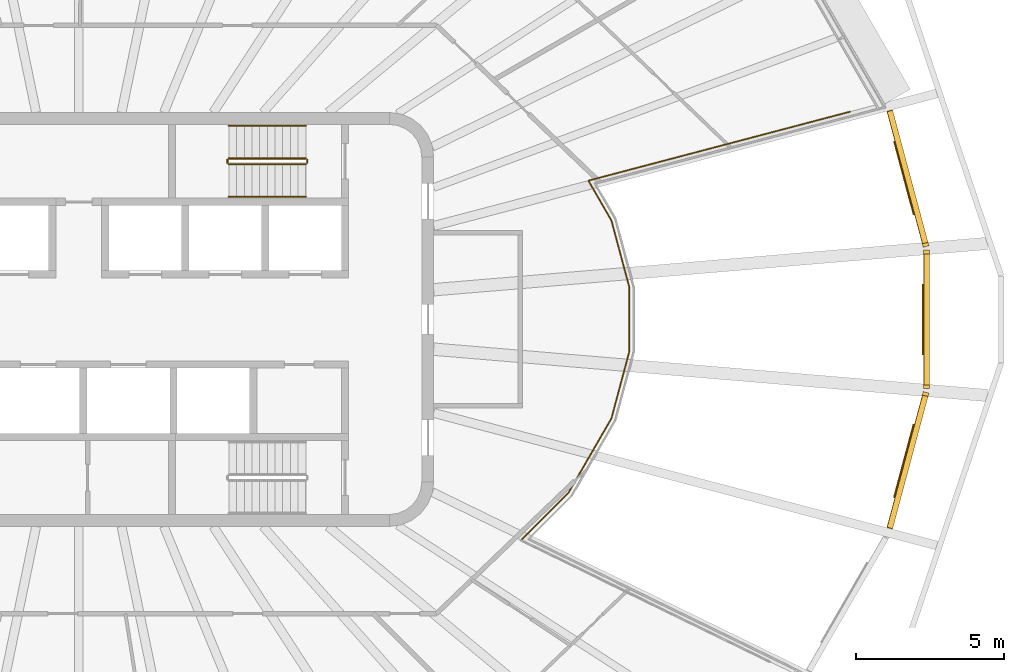
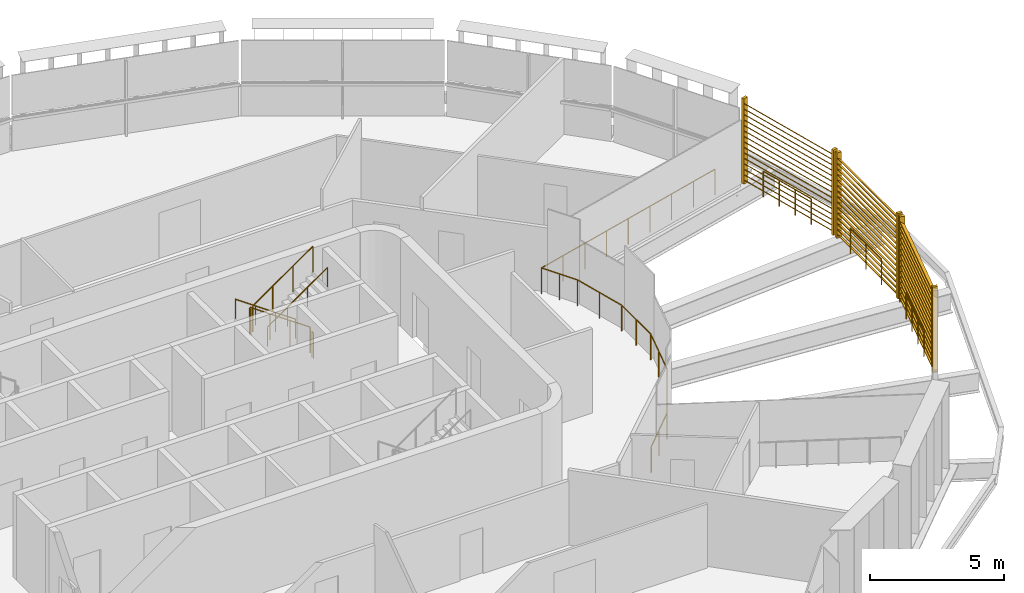
# One storey, part 17 of 19: 10 railings, 3 shading devices.
"""IFC4 building model written with IfcOpenShell, lengths in metres."""

from ifc_helpers import new_model, si_unit, direction, frame, origin, origin_2d, place, context, subcontext, project, spatial, rectangle, circle, extrude, material, type_object, element, save


model = new_model("IFC4")

# Units and contexts
model_context = context("Model", 3, precision=1e-05, world=origin(), true_north=direction((0.0, 1.0)))
body_context = subcontext(model_context, "Body", "Model", "MODEL_VIEW")
ifc_project = project(units=[si_unit("LENGTHUNIT", "METRE"), si_unit("AREAUNIT", "SQUARE_METRE"), si_unit("VOLUMEUNIT", "CUBIC_METRE"), si_unit("PLANEANGLEUNIT", "RADIAN"), si_unit("MASSUNIT", "GRAM", prefix="KILO")], contexts=[model_context])

# Site, building, storey
site_placement = place(None, origin())
site = spatial("IfcSite", under=ifc_project, at=site_placement, CompositionType="ELEMENT")
building_placement = place(site_placement, origin())
building = spatial("IfcBuilding", under=site, at=building_placement, Name="Sahrelin Media Tower", CompositionType="ELEMENT")
storey_placement = place(building_placement, frame((0.0, 0.0, 287.0)))
storey = spatial("IfcBuildingStorey", under=building, at=storey_placement, Name="L63", CompositionType="ELEMENT", Elevation=287.0)

# Shading devices
ifc_material_1 = material(Name="Champagne anodised aluminium 6063-T6", Category="aluminium")
shading_device_type = type_object("IfcShadingDeviceType", Name="Garden screen", PredefinedType="USERDEFINED", material=ifc_material_1)
shading_device_1_placement = place(storey_placement, frame((28.5673828125, 0.0, 0.0), z_axis=(0.0, 0.0, 1.0), x_axis=(0.0, -1.0, 0.0)))
element("IfcShadingDevice", 1, at=shading_device_1_placement, inside=storey, type_object=shading_device_type, Name="L63:SCREEN:L63-00", ObjectType="SCREEN", PredefinedType="USERDEFINED", context=body_context, shape_type="SweptSolid", body=[
    extrude(rectangle(XDim=0.1201171875, YDim=0.199951171875, at=origin_2d()), frame((2.28125, 0.10009765625, 0.050048828125), z_axis=(0.0, 0.0, 1.0), x_axis=(1.0, 0.0, 0.0)), (0.0, 0.0, 1.0), 3.89990234375),
    extrude(rectangle(XDim=0.1201171875, YDim=0.199951171875, at=origin_2d()), frame((-2.28125, 0.10009765625, 0.050048828125), z_axis=(0.0, 0.0, 1.0), x_axis=(1.0, 0.0, 0.0)), (0.0, 0.0, 1.0), 3.89990234375),
    extrude(rectangle(XDim=0.25, YDim=0.02001953125, at=origin_2d()), frame((2.22119140625, 0.10009765625, 0.14990234375), z_axis=(-1.0, 0.0, 0.0), x_axis=(0.0, -0.766044443119, 0.642787609687)), (0.0, 0.0, 1.0), 4.4423828125),
    extrude(rectangle(XDim=0.25, YDim=0.02001953125, at=origin_2d()), frame((2.22119140625, 0.10009765625, 0.39990234375), z_axis=(-1.0, 0.0, 0.0), x_axis=(0.0, -0.766044443119, 0.642787609687)), (0.0, 0.0, 1.0), 4.4423828125),
    extrude(rectangle(XDim=0.25, YDim=0.02001953125, at=origin_2d()), frame((2.22119140625, 0.10009765625, 0.64990234375), z_axis=(-1.0, 0.0, 0.0), x_axis=(0.0, -0.766044443119, 0.642787609687)), (0.0, 0.0, 1.0), 4.4423828125),
    extrude(rectangle(XDim=0.25, YDim=0.02001953125, at=origin_2d()), frame((2.22119140625, 0.10009765625, 0.89990234375), z_axis=(-1.0, 0.0, 0.0), x_axis=(0.0, -0.766044443119, 0.642787609687)), (0.0, 0.0, 1.0), 4.4423828125),
    extrude(rectangle(XDim=0.25, YDim=0.02001953125, at=origin_2d()), frame((2.22119140625, 0.10009765625, 1.14990234375), z_axis=(-1.0, 0.0, 0.0), x_axis=(0.0, -0.766044443119, 0.642787609687)), (0.0, 0.0, 1.0), 4.4423828125),
    extrude(rectangle(XDim=0.25, YDim=0.02001953125, at=origin_2d()), frame((2.22119140625, 0.10009765625, 1.39990234375), z_axis=(-1.0, 0.0, 0.0), x_axis=(0.0, -0.766044443119, 0.642787609687)), (0.0, 0.0, 1.0), 4.4423828125),
    extrude(rectangle(XDim=0.25, YDim=0.02001953125, at=origin_2d()), frame((2.22119140625, 0.10009765625, 1.64990234375), z_axis=(-1.0, 0.0, 0.0), x_axis=(0.0, -0.766044443119, 0.642787609687)), (0.0, 0.0, 1.0), 4.4423828125),
    extrude(rectangle(XDim=0.25, YDim=0.02001953125, at=origin_2d()), frame((2.22119140625, 0.10009765625, 1.89990234375), z_axis=(-1.0, 0.0, 0.0), x_axis=(0.0, -0.766044443119, 0.642787609687)), (0.0, 0.0, 1.0), 4.4423828125),
    extrude(rectangle(XDim=0.25, YDim=0.02001953125, at=origin_2d()), frame((2.22119140625, 0.10009765625, 2.14990234375), z_axis=(-1.0, 0.0, 0.0), x_axis=(0.0, -0.766044443119, 0.642787609687)), (0.0, 0.0, 1.0), 4.4423828125),
    extrude(rectangle(XDim=0.25, YDim=0.02001953125, at=origin_2d()), frame((2.22119140625, 0.10009765625, 2.39990234375), z_axis=(-1.0, 0.0, 0.0), x_axis=(0.0, -0.766044443119, 0.642787609687)), (0.0, 0.0, 1.0), 4.4423828125),
    extrude(rectangle(XDim=0.25, YDim=0.02001953125, at=origin_2d()), frame((2.22119140625, 0.10009765625, 2.64990234375), z_axis=(-1.0, 0.0, 0.0), x_axis=(0.0, -0.766044443119, 0.642787609687)), (0.0, 0.0, 1.0), 4.4423828125),
    extrude(rectangle(XDim=0.25, YDim=0.02001953125, at=origin_2d()), frame((2.22119140625, 0.10009765625, 2.89990234375), z_axis=(-1.0, 0.0, 0.0), x_axis=(0.0, -0.766044443119, 0.642787609687)), (0.0, 0.0, 1.0), 4.4423828125),
    extrude(rectangle(XDim=0.25, YDim=0.02001953125, at=origin_2d()), frame((2.22119140625, 0.10009765625, 3.14990234375), z_axis=(-1.0, 0.0, 0.0), x_axis=(0.0, -0.766044443119, 0.642787609687)), (0.0, 0.0, 1.0), 4.4423828125),
    extrude(rectangle(XDim=0.25, YDim=0.02001953125, at=origin_2d()), frame((2.22119140625, 0.10009765625, 3.39990234375), z_axis=(-1.0, 0.0, 0.0), x_axis=(0.0, -0.766044443119, 0.642787609687)), (0.0, 0.0, 1.0), 4.4423828125),
    extrude(rectangle(XDim=0.25, YDim=0.02001953125, at=origin_2d()), frame((2.22119140625, 0.10009765625, 3.64990234375), z_axis=(-1.0, 0.0, 0.0), x_axis=(0.0, -0.766044443119, 0.642787609687)), (0.0, 0.0, 1.0), 4.4423828125),
])
shading_device_2_placement = place(storey_placement, frame((27.9248046875, 4.789306640625, 0.0), z_axis=(0.0, 0.0, 1.0), x_axis=(0.258807731996, -0.965928857556, 0.0)))
element("IfcShadingDevice", 2, at=shading_device_2_placement, inside=storey, type_object=shading_device_type, Name="L63:SCREEN:L63-01", ObjectType="SCREEN", PredefinedType="USERDEFINED", context=body_context, shape_type="SweptSolid", body=[
    extrude(rectangle(XDim=0.1201171875, YDim=0.199951171875, at=origin_2d()), frame((2.37255859375, 0.10009765625, 0.050048828125), z_axis=(0.0, 0.0, 1.0), x_axis=(1.0, 0.0, 0.0)), (0.0, 0.0, 1.0), 3.89990234375),
    extrude(rectangle(XDim=0.1201171875, YDim=0.199951171875, at=origin_2d()), frame((-2.37255859375, 0.10009765625, 0.050048828125), z_axis=(0.0, 0.0, 1.0), x_axis=(1.0, 0.0, 0.0)), (0.0, 0.0, 1.0), 3.89990234375),
    extrude(rectangle(XDim=0.25, YDim=0.02001953125, at=origin_2d()), frame((2.3125, 0.10009765625, 0.14990234375), z_axis=(-1.0, 0.0, 0.0), x_axis=(0.0, -0.766044443119, 0.642787609687)), (0.0, 0.0, 1.0), 4.625),
    extrude(rectangle(XDim=0.25, YDim=0.02001953125, at=origin_2d()), frame((2.3125, 0.10009765625, 0.39990234375), z_axis=(-1.0, 0.0, 0.0), x_axis=(0.0, -0.766044443119, 0.642787609687)), (0.0, 0.0, 1.0), 4.625),
    extrude(rectangle(XDim=0.25, YDim=0.02001953125, at=origin_2d()), frame((2.3125, 0.10009765625, 0.64990234375), z_axis=(-1.0, 0.0, 0.0), x_axis=(0.0, -0.766044443119, 0.642787609687)), (0.0, 0.0, 1.0), 4.625),
    extrude(rectangle(XDim=0.25, YDim=0.02001953125, at=origin_2d()), frame((2.3125, 0.10009765625, 0.89990234375), z_axis=(-1.0, 0.0, 0.0), x_axis=(0.0, -0.766044443119, 0.642787609687)), (0.0, 0.0, 1.0), 4.625),
    extrude(rectangle(XDim=0.25, YDim=0.02001953125, at=origin_2d()), frame((2.3125, 0.10009765625, 1.14990234375), z_axis=(-1.0, 0.0, 0.0), x_axis=(0.0, -0.766044443119, 0.642787609687)), (0.0, 0.0, 1.0), 4.625),
    extrude(rectangle(XDim=0.25, YDim=0.02001953125, at=origin_2d()), frame((2.3125, 0.10009765625, 1.39990234375), z_axis=(-1.0, 0.0, 0.0), x_axis=(0.0, -0.766044443119, 0.642787609687)), (0.0, 0.0, 1.0), 4.625),
    extrude(rectangle(XDim=0.25, YDim=0.02001953125, at=origin_2d()), frame((2.3125, 0.10009765625, 1.64990234375), z_axis=(-1.0, 0.0, 0.0), x_axis=(0.0, -0.766044443119, 0.642787609687)), (0.0, 0.0, 1.0), 4.625),
    extrude(rectangle(XDim=0.25, YDim=0.02001953125, at=origin_2d()), frame((2.3125, 0.10009765625, 1.89990234375), z_axis=(-1.0, 0.0, 0.0), x_axis=(0.0, -0.766044443119, 0.642787609687)), (0.0, 0.0, 1.0), 4.625),
    extrude(rectangle(XDim=0.25, YDim=0.02001953125, at=origin_2d()), frame((2.3125, 0.10009765625, 2.14990234375), z_axis=(-1.0, 0.0, 0.0), x_axis=(0.0, -0.766044443119, 0.642787609687)), (0.0, 0.0, 1.0), 4.625),
    extrude(rectangle(XDim=0.25, YDim=0.02001953125, at=origin_2d()), frame((2.3125, 0.10009765625, 2.39990234375), z_axis=(-1.0, 0.0, 0.0), x_axis=(0.0, -0.766044443119, 0.642787609687)), (0.0, 0.0, 1.0), 4.625),
    extrude(rectangle(XDim=0.25, YDim=0.02001953125, at=origin_2d()), frame((2.3125, 0.10009765625, 2.64990234375), z_axis=(-1.0, 0.0, 0.0), x_axis=(0.0, -0.766044443119, 0.642787609687)), (0.0, 0.0, 1.0), 4.625),
    extrude(rectangle(XDim=0.25, YDim=0.02001953125, at=origin_2d()), frame((2.3125, 0.10009765625, 2.89990234375), z_axis=(-1.0, 0.0, 0.0), x_axis=(0.0, -0.766044443119, 0.642787609687)), (0.0, 0.0, 1.0), 4.625),
    extrude(rectangle(XDim=0.25, YDim=0.02001953125, at=origin_2d()), frame((2.3125, 0.10009765625, 3.14990234375), z_axis=(-1.0, 0.0, 0.0), x_axis=(0.0, -0.766044443119, 0.642787609687)), (0.0, 0.0, 1.0), 4.625),
    extrude(rectangle(XDim=0.25, YDim=0.02001953125, at=origin_2d()), frame((2.3125, 0.10009765625, 3.39990234375), z_axis=(-1.0, 0.0, 0.0), x_axis=(0.0, -0.766044443119, 0.642787609687)), (0.0, 0.0, 1.0), 4.625),
    extrude(rectangle(XDim=0.25, YDim=0.02001953125, at=origin_2d()), frame((2.3125, 0.10009765625, 3.64990234375), z_axis=(-1.0, 0.0, 0.0), x_axis=(0.0, -0.766044443119, 0.642787609687)), (0.0, 0.0, 1.0), 4.625),
])
shading_device_3_placement = place(storey_placement, frame((27.9248046875, -4.789306640625, 0.0), z_axis=(0.0, 0.0, 1.0), x_axis=(-0.258807731996, -0.965928857556, 0.0)))
element("IfcShadingDevice", 3, at=shading_device_3_placement, inside=storey, type_object=shading_device_type, Name="L63:SCREEN:L63-23", ObjectType="SCREEN", PredefinedType="USERDEFINED", context=body_context, shape_type="SweptSolid", body=[
    extrude(rectangle(XDim=0.1201171875, YDim=0.199951171875, at=origin_2d()), frame((2.37255859375, 0.10009765625, 0.050048828125), z_axis=(0.0, 0.0, 1.0), x_axis=(1.0, 0.0, 0.0)), (0.0, 0.0, 1.0), 3.89990234375),
    extrude(rectangle(XDim=0.1201171875, YDim=0.199951171875, at=origin_2d()), frame((-2.37255859375, 0.10009765625, 0.050048828125), z_axis=(0.0, 0.0, 1.0), x_axis=(1.0, 0.0, 0.0)), (0.0, 0.0, 1.0), 3.89990234375),
    extrude(rectangle(XDim=0.25, YDim=0.02001953125, at=origin_2d()), frame((2.3125, 0.10009765625, 0.14990234375), z_axis=(-1.0, 0.0, 0.0), x_axis=(0.0, -0.766044443119, 0.642787609687)), (0.0, 0.0, 1.0), 4.625),
    extrude(rectangle(XDim=0.25, YDim=0.02001953125, at=origin_2d()), frame((2.3125, 0.10009765625, 0.39990234375), z_axis=(-1.0, 0.0, 0.0), x_axis=(0.0, -0.766044443119, 0.642787609687)), (0.0, 0.0, 1.0), 4.625),
    extrude(rectangle(XDim=0.25, YDim=0.02001953125, at=origin_2d()), frame((2.3125, 0.10009765625, 0.64990234375), z_axis=(-1.0, 0.0, 0.0), x_axis=(0.0, -0.766044443119, 0.642787609687)), (0.0, 0.0, 1.0), 4.625),
    extrude(rectangle(XDim=0.25, YDim=0.02001953125, at=origin_2d()), frame((2.3125, 0.10009765625, 0.89990234375), z_axis=(-1.0, 0.0, 0.0), x_axis=(0.0, -0.766044443119, 0.642787609687)), (0.0, 0.0, 1.0), 4.625),
    extrude(rectangle(XDim=0.25, YDim=0.02001953125, at=origin_2d()), frame((2.3125, 0.10009765625, 1.14990234375), z_axis=(-1.0, 0.0, 0.0), x_axis=(0.0, -0.766044443119, 0.642787609687)), (0.0, 0.0, 1.0), 4.625),
    extrude(rectangle(XDim=0.25, YDim=0.02001953125, at=origin_2d()), frame((2.3125, 0.10009765625, 1.39990234375), z_axis=(-1.0, 0.0, 0.0), x_axis=(0.0, -0.766044443119, 0.642787609687)), (0.0, 0.0, 1.0), 4.625),
    extrude(rectangle(XDim=0.25, YDim=0.02001953125, at=origin_2d()), frame((2.3125, 0.10009765625, 1.64990234375), z_axis=(-1.0, 0.0, 0.0), x_axis=(0.0, -0.766044443119, 0.642787609687)), (0.0, 0.0, 1.0), 4.625),
    extrude(rectangle(XDim=0.25, YDim=0.02001953125, at=origin_2d()), frame((2.3125, 0.10009765625, 1.89990234375), z_axis=(-1.0, 0.0, 0.0), x_axis=(0.0, -0.766044443119, 0.642787609687)), (0.0, 0.0, 1.0), 4.625),
    extrude(rectangle(XDim=0.25, YDim=0.02001953125, at=origin_2d()), frame((2.3125, 0.10009765625, 2.14990234375), z_axis=(-1.0, 0.0, 0.0), x_axis=(0.0, -0.766044443119, 0.642787609687)), (0.0, 0.0, 1.0), 4.625),
    extrude(rectangle(XDim=0.25, YDim=0.02001953125, at=origin_2d()), frame((2.3125, 0.10009765625, 2.39990234375), z_axis=(-1.0, 0.0, 0.0), x_axis=(0.0, -0.766044443119, 0.642787609687)), (0.0, 0.0, 1.0), 4.625),
    extrude(rectangle(XDim=0.25, YDim=0.02001953125, at=origin_2d()), frame((2.3125, 0.10009765625, 2.64990234375), z_axis=(-1.0, 0.0, 0.0), x_axis=(0.0, -0.766044443119, 0.642787609687)), (0.0, 0.0, 1.0), 4.625),
    extrude(rectangle(XDim=0.25, YDim=0.02001953125, at=origin_2d()), frame((2.3125, 0.10009765625, 2.89990234375), z_axis=(-1.0, 0.0, 0.0), x_axis=(0.0, -0.766044443119, 0.642787609687)), (0.0, 0.0, 1.0), 4.625),
    extrude(rectangle(XDim=0.25, YDim=0.02001953125, at=origin_2d()), frame((2.3125, 0.10009765625, 3.14990234375), z_axis=(-1.0, 0.0, 0.0), x_axis=(0.0, -0.766044443119, 0.642787609687)), (0.0, 0.0, 1.0), 4.625),
    extrude(rectangle(XDim=0.25, YDim=0.02001953125, at=origin_2d()), frame((2.3125, 0.10009765625, 3.39990234375), z_axis=(-1.0, 0.0, 0.0), x_axis=(0.0, -0.766044443119, 0.642787609687)), (0.0, 0.0, 1.0), 4.625),
    extrude(rectangle(XDim=0.25, YDim=0.02001953125, at=origin_2d()), frame((2.3125, 0.10009765625, 3.64990234375), z_axis=(-1.0, 0.0, 0.0), x_axis=(0.0, -0.766044443119, 0.642787609687)), (0.0, 0.0, 1.0), 4.625),
])

# Railings
ifc_material_2 = material(Name="Stainless steel 316", Category="steel")
railing_type_1 = type_object("IfcRailingType", Name="Sky garden guard", PredefinedType="GUARDRAIL", material=ifc_material_2)
railing_1_placement = place(storey_placement, frame((14.952392578125, -7.468505859375, 0.0)))
element("IfcRailing", 4, at=railing_1_placement, inside=storey, type_object=railing_type_1, Name="Sky garden void guard G8-1", PredefinedType="GUARDRAIL", context=body_context, shape_type="SweptSolid", body=[
    extrude(circle(Radius=0.02392578125, at=origin_2d()), frame((0.0, 0.0, 1.17578125), z_axis=(0.707160571973, 0.707052986308, 0.0), x_axis=(-0.707052986308, 0.707160571973, 0.0)), (0.0, 0.0, 1.0), 2.269287109375),
    extrude(circle(Radius=0.02392578125, at=origin_2d()), frame((1.604736328125, 1.6044921875, 1.17578125), z_axis=(0.499996306993, 0.866027535932, 0.0), x_axis=(-0.866027535932, 0.499996306993, 0.0)), (0.0, 0.0, 1.0), 2.90673828125),
    extrude(circle(Radius=0.02392578125, at=origin_2d()), frame((3.05810546875, 4.121826171875, 1.17578125), z_axis=(0.25878985325, 0.96593364775, 0.0), x_axis=(-0.96593364775, 0.25878985325, 0.0)), (0.0, 0.0, 1.0), 2.34521484375),
    extrude(circle(Radius=0.02392578125, at=origin_2d()), frame((3.6650390625, 6.38720703125, 1.17578125), z_axis=(0.0, 1.0, 0.0), x_axis=(-1.0, 0.0, 0.0)), (0.0, 0.0, 1.0), 2.16259765625),
    extrude(circle(Radius=0.02392578125, at=origin_2d()), frame((3.6650390625, 8.5498046875, 1.17578125), z_axis=(-0.25878985325, 0.96593364775, 0.0), x_axis=(-0.96593364775, -0.25878985325, 0.0)), (0.0, 0.0, 1.0), 2.34521484375),
    extrude(circle(Radius=0.02392578125, at=origin_2d()), frame((3.05810546875, 10.815185546875, 1.17578125), z_axis=(-0.500052839165, 0.865994894929, 0.0), x_axis=(-0.865994894929, -0.500052839165, 0.0)), (0.0, 0.0, 1.0), 1.556396484375),
    extrude(circle(Radius=0.02392578125, at=origin_2d()), frame((2.27978515625, 12.1630859375, 1.17578125), z_axis=(0.967003978096, 0.254761273249, 0.0), x_axis=(-0.254761273249, 0.967003978096, 0.0)), (0.0, 0.0, 1.0), 9.14794921875),
    extrude(circle(Radius=0.02099609375, at=origin_2d()), origin(), (0.0, 0.0, 1.0), 1.15185546875),
    extrude(circle(Radius=0.02099609375, at=origin_2d()), frame((0.80224609375, 0.80224609375, 0.0)), (0.0, 0.0, 1.0), 1.15185546875),
    extrude(circle(Radius=0.02099609375, at=origin_2d()), frame((1.604736328125, 1.6044921875, 0.0)), (0.0, 0.0, 1.0), 1.15185546875),
    extrude(circle(Radius=0.02099609375, at=origin_2d()), frame((2.089111328125, 2.443603515625, 0.0)), (0.0, 0.0, 1.0), 1.15185546875),
    extrude(circle(Radius=0.02099609375, at=origin_2d()), frame((2.57373046875, 3.28271484375, 0.0)), (0.0, 0.0, 1.0), 1.15185546875),
    extrude(circle(Radius=0.02099609375, at=origin_2d()), frame((3.05810546875, 4.121826171875, 0.0)), (0.0, 0.0, 1.0), 1.15185546875),
    extrude(circle(Radius=0.02099609375, at=origin_2d()), frame((3.361572265625, 5.25439453125, 0.0)), (0.0, 0.0, 1.0), 1.15185546875),
    extrude(circle(Radius=0.02099609375, at=origin_2d()), frame((3.6650390625, 6.38720703125, 0.0)), (0.0, 0.0, 1.0), 1.15185546875),
    extrude(circle(Radius=0.02099609375, at=origin_2d()), frame((3.6650390625, 7.468505859375, 0.0)), (0.0, 0.0, 1.0), 1.15185546875),
    extrude(circle(Radius=0.02099609375, at=origin_2d()), frame((3.6650390625, 8.5498046875, 0.0)), (0.0, 0.0, 1.0), 1.15185546875),
    extrude(circle(Radius=0.02099609375, at=origin_2d()), frame((3.361572265625, 9.6826171875, 0.0)), (0.0, 0.0, 1.0), 1.15185546875),
    extrude(circle(Radius=0.02099609375, at=origin_2d()), frame((3.05810546875, 10.815185546875, 0.0)), (0.0, 0.0, 1.0), 1.15185546875),
    extrude(circle(Radius=0.02099609375, at=origin_2d()), frame((2.6689453125, 11.4892578125, 0.0)), (0.0, 0.0, 1.0), 1.15185546875),
    extrude(circle(Radius=0.02099609375, at=origin_2d()), frame((2.27978515625, 12.1630859375, 0.0)), (0.0, 0.0, 1.0), 1.15185546875),
    extrude(circle(Radius=0.02099609375, at=origin_2d()), frame((3.385498046875, 12.454345703125, 0.0)), (0.0, 0.0, 1.0), 1.15185546875),
    extrude(circle(Radius=0.02099609375, at=origin_2d()), frame((4.4912109375, 12.74560546875, 0.0)), (0.0, 0.0, 1.0), 1.15185546875),
    extrude(circle(Radius=0.02099609375, at=origin_2d()), frame((5.59716796875, 13.037109375, 0.0)), (0.0, 0.0, 1.0), 1.15185546875),
    extrude(circle(Radius=0.02099609375, at=origin_2d()), frame((6.702880859375, 13.328369140625, 0.0)), (0.0, 0.0, 1.0), 1.15185546875),
    extrude(circle(Radius=0.02099609375, at=origin_2d()), frame((7.80859375, 13.61962890625, 0.0)), (0.0, 0.0, 1.0), 1.15185546875),
    extrude(circle(Radius=0.02099609375, at=origin_2d()), frame((8.91455078125, 13.9111328125, 0.0)), (0.0, 0.0, 1.0), 1.15185546875),
    extrude(circle(Radius=0.02099609375, at=origin_2d()), frame((10.020263671875, 14.202392578125, 0.0)), (0.0, 0.0, 1.0), 1.15185546875),
    extrude(circle(Radius=0.02099609375, at=origin_2d()), frame((11.1259765625, 14.49365234375, 0.0)), (0.0, 0.0, 1.0), 1.15185546875),
])
railing_2_placement = place(storey_placement, frame((27.5751953125, 6.00732421875, 0.0)))
element("IfcRailing", 5, at=railing_2_placement, inside=storey, type_object=railing_type_1, Name="Sky garden void guard G8-2", PredefinedType="GUARDRAIL", context=body_context, shape_type="SweptSolid", body=[
    extrude(circle(Radius=0.02392578125, at=origin_2d()), frame((0.0, 0.0, 1.17578125), z_axis=(0.258813089189, -0.965927422152, 0.0), x_axis=(0.965927422152, 0.258813089189, 0.0)), (0.0, 0.0, 1.0), 2.53564453125),
    extrude(circle(Radius=0.02099609375, at=origin_2d()), origin(), (0.0, 0.0, 1.0), 1.15185546875),
    extrude(circle(Radius=0.02099609375, at=origin_2d()), frame((0.21875, -0.81640625, 0.0)), (0.0, 0.0, 1.0), 1.15185546875),
    extrude(circle(Radius=0.02099609375, at=origin_2d()), frame((0.4375, -1.6328125, 0.0)), (0.0, 0.0, 1.0), 1.15185546875),
    extrude(circle(Radius=0.02099609375, at=origin_2d()), frame((0.65625, -2.44921875, 0.0)), (0.0, 0.0, 1.0), 1.15185546875),
])
railing_3_placement = place(storey_placement, frame((28.544921875, 1.17333984375, 0.0)))
element("IfcRailing", 6, at=railing_3_placement, inside=storey, type_object=railing_type_1, Name="Sky garden void guard G8-3", PredefinedType="GUARDRAIL", context=body_context, shape_type="SweptSolid", body=[
    extrude(circle(Radius=0.02392578125, at=origin_2d()), frame((0.0, 0.0, 1.17578125), z_axis=(0.0, -1.0, 0.0), x_axis=(1.0, 0.0, 0.0)), (0.0, 0.0, 1.0), 2.3466796875),
    extrude(circle(Radius=0.02099609375, at=origin_2d()), origin(), (0.0, 0.0, 1.0), 1.15185546875),
    extrude(circle(Radius=0.02099609375, at=origin_2d()), frame((0.0, -1.17333984375, 0.0)), (0.0, 0.0, 1.0), 1.15185546875),
    extrude(circle(Radius=0.02099609375, at=origin_2d()), frame((0.0, -2.3466796875, 0.0)), (0.0, 0.0, 1.0), 1.15185546875),
])
railing_4_placement = place(storey_placement, frame((28.2314453125, -3.55810546875, 0.0)))
element("IfcRailing", 7, at=railing_4_placement, inside=storey, type_object=railing_type_1, Name="Sky garden void guard G8-4", PredefinedType="GUARDRAIL", context=body_context, shape_type="SweptSolid", body=[
    extrude(circle(Radius=0.02392578125, at=origin_2d()), frame((0.0, 0.0, 1.17578125), z_axis=(-0.258813089189, -0.965927422152, 0.0), x_axis=(0.965927422152, -0.258813089189, 0.0)), (0.0, 0.0, 1.0), 2.53564453125),
    extrude(circle(Radius=0.02099609375, at=origin_2d()), origin(), (0.0, 0.0, 1.0), 1.15185546875),
    extrude(circle(Radius=0.02099609375, at=origin_2d()), frame((-0.21875, -0.81640625, 0.0)), (0.0, 0.0, 1.0), 1.15185546875),
    extrude(circle(Radius=0.02099609375, at=origin_2d()), frame((-0.4375, -1.6328125, 0.0)), (0.0, 0.0, 1.0), 1.15185546875),
    extrude(circle(Radius=0.02099609375, at=origin_2d()), frame((-0.65625, -2.44921875, 0.0)), (0.0, 0.0, 1.0), 1.15185546875),
])
ifc_material_3 = material(Name="Steel S355", Category="steel")
railing_type_2 = type_object("IfcRailingType", Name="Stair guard 1200", PredefinedType="GUARDRAIL", material=ifc_material_3)
railing_5_placement = place(storey_placement, frame((7.675048828125, 5.449951171875, 0.181884765625)))
element("IfcRailing", 8, at=railing_5_placement, inside=storey, type_object=railing_type_2, Name="L63 ST3 stair guard 1", PredefinedType="GUARDRAIL", context=body_context, shape_type="SweptSolid", body=[
    extrude(circle(Radius=0.02392578125, at=origin_2d()), frame((0.0, 0.0, 1.17578125), z_axis=(-0.819521025635, 0.0, 0.573049115296), x_axis=(0.0, -1.0, 0.0)), (0.0, 0.0, 1.0), 3.172607421875),
    extrude(circle(Radius=0.02099609375, at=origin_2d()), origin(), (0.0, 0.0, 1.0), 1.15185546875),
    extrude(circle(Radius=0.02099609375, at=origin_2d()), frame((-0.86669921875, 0.0, 0.60595703125)), (0.0, 0.0, 1.0), 1.15185546875),
    extrude(circle(Radius=0.02099609375, at=origin_2d()), frame((-1.7333984375, 0.0, 1.212158203125)), (0.0, 0.0, 1.0), 1.15185546875),
    extrude(circle(Radius=0.02099609375, at=origin_2d()), frame((-2.60009765625, 0.0, 1.818115234375)), (0.0, 0.0, 1.0), 1.15185546875),
])
railing_6_placement = place(storey_placement, frame((5.02490234375, 5.39990234375, 2.0)))
element("IfcRailing", 9, at=railing_6_placement, inside=storey, type_object=railing_type_2, Name="L63 ST3 stair guard 2", PredefinedType="GUARDRAIL", context=body_context, shape_type="SweptSolid", body=[
    extrude(circle(Radius=0.02392578125, at=origin_2d()), frame((0.0, 0.0, 1.17578125), z_axis=(0.0, -1.0, 0.0), x_axis=(1.0, 0.0, 0.0)), (0.0, 0.0, 1.0), 0.099853515625),
    extrude(circle(Radius=0.02099609375, at=origin_2d()), origin(), (0.0, 0.0, 1.0), 1.15185546875),
    extrude(circle(Radius=0.02099609375, at=origin_2d()), frame((0.0, -0.099853515625, 0.0)), (0.0, 0.0, 1.0), 1.15185546875),
])
railing_7_placement = place(storey_placement, frame((5.074951171875, 5.25, 2.181884765625)))
element("IfcRailing", 10, at=railing_7_placement, inside=storey, type_object=railing_type_2, Name="L63 ST3 stair guard 3", PredefinedType="GUARDRAIL", context=body_context, shape_type="SweptSolid", body=[
    extrude(circle(Radius=0.02392578125, at=origin_2d()), frame((0.0, 0.0, 1.17578125), z_axis=(0.819521025635, 0.0, 0.573049115296), x_axis=(0.0, 1.0, 0.0)), (0.0, 0.0, 1.0), 3.172607421875),
    extrude(circle(Radius=0.02099609375, at=origin_2d()), origin(), (0.0, 0.0, 1.0), 1.15185546875),
    extrude(circle(Radius=0.02099609375, at=origin_2d()), frame((0.86669921875, 0.0, 0.60595703125)), (0.0, 0.0, 1.0), 1.15185546875),
    extrude(circle(Radius=0.02099609375, at=origin_2d()), frame((1.7333984375, 0.0, 1.212158203125)), (0.0, 0.0, 1.0), 1.15185546875),
    extrude(circle(Radius=0.02099609375, at=origin_2d()), frame((2.60009765625, 0.0, 1.818115234375)), (0.0, 0.0, 1.0), 1.15185546875),
])
railing_8_placement = place(storey_placement, frame((7.72509765625, 5.39990234375, 0.0)))
element("IfcRailing", 11, at=railing_8_placement, inside=storey, type_object=railing_type_2, Name="L63 ST3 stair guard 4", PredefinedType="GUARDRAIL", context=body_context, shape_type="SweptSolid", body=[
    extrude(circle(Radius=0.02392578125, at=origin_2d()), frame((0.0, 0.0, 1.17578125), z_axis=(0.0, -1.0, 0.0), x_axis=(1.0, 0.0, 0.0)), (0.0, 0.0, 1.0), 0.099853515625),
    extrude(circle(Radius=0.02099609375, at=origin_2d()), origin(), (0.0, 0.0, 1.0), 1.15185546875),
    extrude(circle(Radius=0.02099609375, at=origin_2d()), frame((0.0, -0.099853515625, 0.0)), (0.0, 0.0, 1.0), 1.15185546875),
])
railing_type_3 = type_object("IfcRailingType", Name="Stair handrail 900", PredefinedType="HANDRAIL", material=ifc_material_3)
railing_9_placement = place(storey_placement, frame((7.675048828125, 6.550048828125, 0.181884765625)))
element("IfcRailing", 12, at=railing_9_placement, inside=storey, type_object=railing_type_3, Name="L63 ST3 stair handrail 1", PredefinedType="HANDRAIL", context=body_context, shape_type="SweptSolid", body=[
    extrude(circle(Radius=0.02392578125, at=origin_2d()), frame((0.0, 0.0, 0.8759765625), z_axis=(-0.819521025635, 0.0, 0.573049115296), x_axis=(0.0, -1.0, 0.0)), (0.0, 0.0, 1.0), 3.172607421875),
    extrude(circle(Radius=0.02099609375, at=origin_2d()), origin(), (0.0, 0.0, 1.0), 0.851806640625),
    extrude(circle(Radius=0.02099609375, at=origin_2d()), frame((-0.86669921875, 0.0, 0.60595703125)), (0.0, 0.0, 1.0), 0.851806640625),
    extrude(circle(Radius=0.02099609375, at=origin_2d()), frame((-1.7333984375, 0.0, 1.212158203125)), (0.0, 0.0, 1.0), 0.851806640625),
    extrude(circle(Radius=0.02099609375, at=origin_2d()), frame((-2.60009765625, 0.0, 1.818115234375)), (0.0, 0.0, 1.0), 0.851806640625),
])
railing_10_placement = place(storey_placement, frame((5.074951171875, 4.14990234375, 2.181884765625)))
element("IfcRailing", 13, at=railing_10_placement, inside=storey, type_object=railing_type_3, Name="L63 ST3 stair handrail 2", PredefinedType="HANDRAIL", context=body_context, shape_type="SweptSolid", body=[
    extrude(circle(Radius=0.02392578125, at=origin_2d()), frame((0.0, 0.0, 0.8759765625), z_axis=(0.819521025635, 0.0, 0.573049115296), x_axis=(0.0, 1.0, 0.0)), (0.0, 0.0, 1.0), 3.172607421875),
    extrude(circle(Radius=0.02099609375, at=origin_2d()), origin(), (0.0, 0.0, 1.0), 0.851806640625),
    extrude(circle(Radius=0.02099609375, at=origin_2d()), frame((0.86669921875, 0.0, 0.60595703125)), (0.0, 0.0, 1.0), 0.851806640625),
    extrude(circle(Radius=0.02099609375, at=origin_2d()), frame((1.7333984375, 0.0, 1.212158203125)), (0.0, 0.0, 1.0), 0.851806640625),
    extrude(circle(Radius=0.02099609375, at=origin_2d()), frame((2.60009765625, 0.0, 1.818115234375)), (0.0, 0.0, 1.0), 0.851806640625),
])

save(model, "model.ifc")
